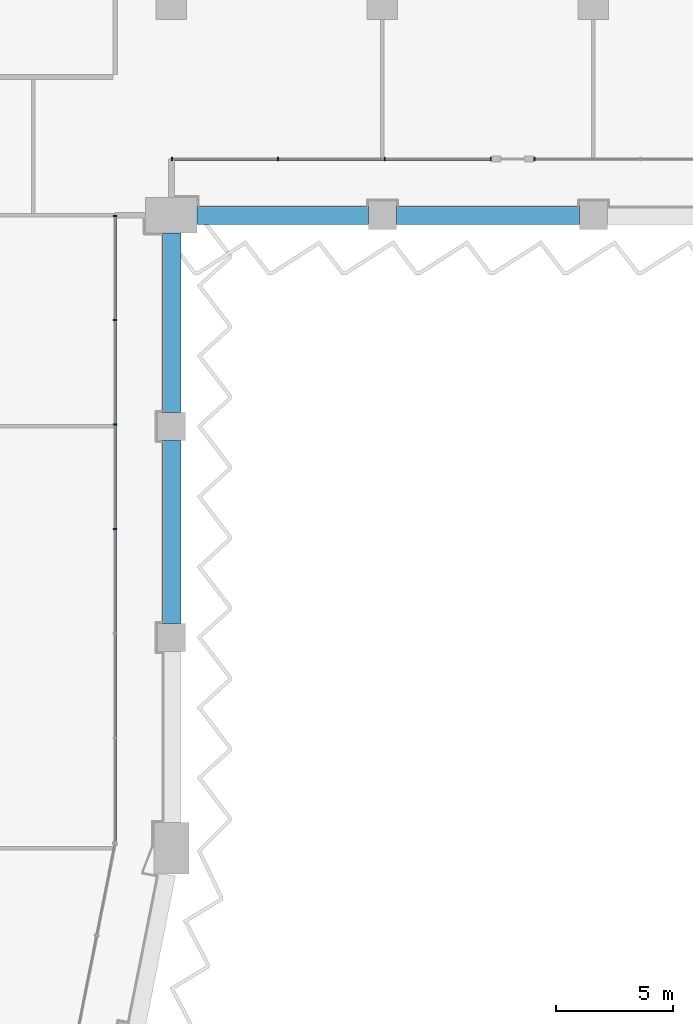
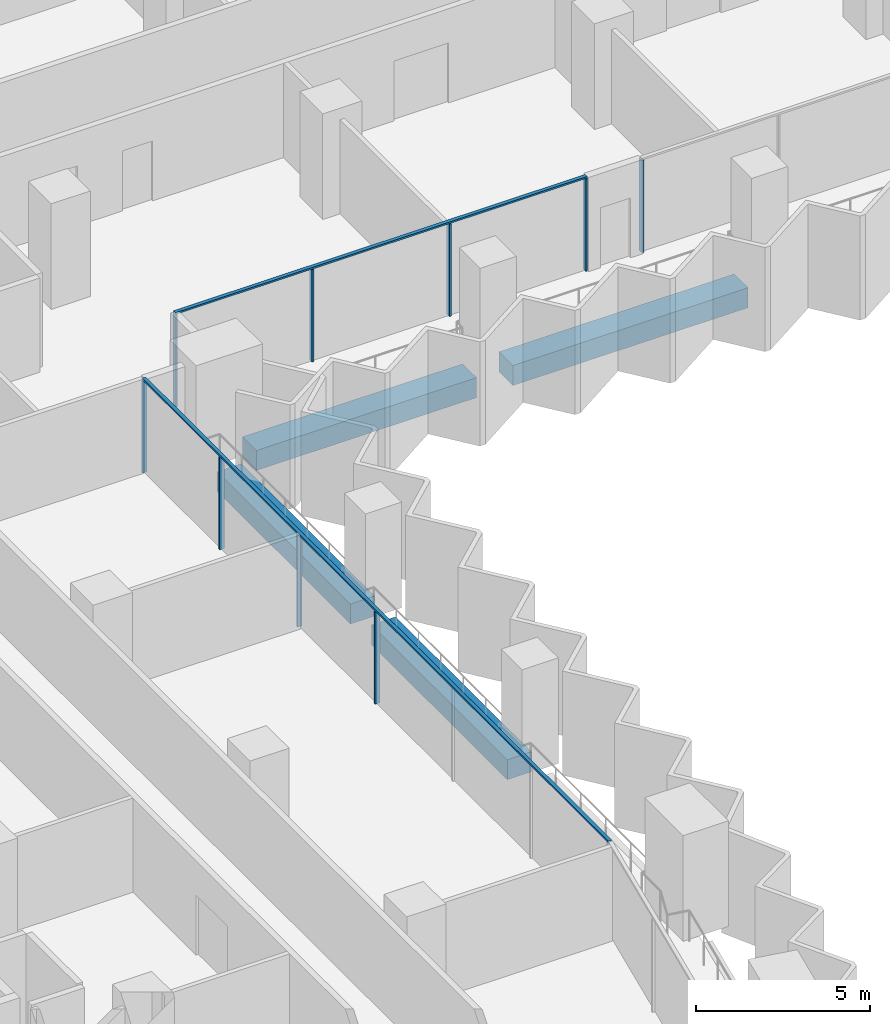
# One storey, part 4 of 23: 11 members, 4 beams, 3 elements without a shape of their own.
"""IFC4 building model written with IfcOpenShell, lengths in metres."""

from ifc_helpers import new_model, si_unit, direction, frame, origin, origin_2d, place, context, subcontext, project, spatial, rectangle, extrude, material, material_profile, profile_set, type_object, element, aggregate, save


model = new_model("IFC4")

# Units and contexts
model_context = context("Model", 3, precision=1e-05, world=origin(), true_north=direction((0.0, 1.0)))
body_context = subcontext(model_context, "Body", "Model", "MODEL_VIEW")
ifc_project = project(units=[si_unit("LENGTHUNIT", "METRE"), si_unit("AREAUNIT", "SQUARE_METRE"), si_unit("VOLUMEUNIT", "CUBIC_METRE"), si_unit("PLANEANGLEUNIT", "RADIAN"), si_unit("MASSUNIT", "GRAM", prefix="KILO")], contexts=[model_context])

# Site, building, storey
site_placement = place(None, origin())
site = spatial("IfcSite", under=ifc_project, at=site_placement, CompositionType="ELEMENT")
building_placement = place(site_placement, origin())
building = spatial("IfcBuilding", under=site, at=building_placement, Name="Hunhe Ridgeline Campus", CompositionType="ELEMENT")
storey_placement = place(building_placement, frame((0.0, 0.0, 95.89990234375)))
storey = spatial("IfcBuildingStorey", under=building, at=storey_placement, Name="L23", CompositionType="ELEMENT", Elevation=95.89990234375)

# Curtain wall, members
ifc_material_1 = material(Name="Aluminium 6063", Category="aluminium")
curtain_wall_type = type_object("IfcCurtainWallType", Name="Curtain wall CW-1", PredefinedType="NOTDEFINED", material=ifc_material_1)
curtain_wall_1_placement = place(storey_placement, origin())
curtain_wall_1 = element("IfcCurtainWall", 1, at=curtain_wall_1_placement, inside=storey, type_object=curtain_wall_type, Name="Curtain wall 11", PredefinedType="NOTDEFINED")
ifc_material_profile_1 = material_profile(ifc_material_1, rectangle(XDim=0.159912109375, YDim=0.06005859375, at=origin_2d()))
ifc_profile_set_1 = profile_set([ifc_material_profile_1], Name="Aluminium 6063")
member_type_1 = type_object("IfcMemberType", Name="CW-1 aluminium mullion", PredefinedType="MULLION", material=ifc_profile_set_1)
member_1_placement = place(storey_placement, frame((42.59912109375, 40.61865234375, 0.0), z_axis=(0.0, 0.0, 1.0), x_axis=(-0.99999999994, 1.0947456e-05, 0.0)))
member_1 = element("IfcMember", 2, at=member_1_placement, type_object=member_type_1, Name="CW-1 mullion 4", PredefinedType="MULLION", context=body_context, shape_type="SweptSolid", body=[
    extrude(rectangle(XDim=0.159912109375, YDim=0.06005859375, at=origin_2d()), origin(), (0.0, 0.0, 1.0), 3.239990234375),
])
member_2_placement = place(storey_placement, frame((42.59912109375, 45.079345703125, 0.0), z_axis=(0.0, 0.0, 1.0), x_axis=(-0.99999999994, 1.0947456e-05, 0.0)))
member_2 = element("IfcMember", 3, at=member_2_placement, type_object=member_type_1, Name="CW-1 mullion 5", PredefinedType="MULLION", context=body_context, shape_type="SweptSolid", body=[
    extrude(rectangle(XDim=0.159912109375, YDim=0.06005859375, at=origin_2d()), origin(), (0.0, 0.0, 1.0), 3.239990234375),
])
member_3_placement = place(storey_placement, frame((42.599365234375, 49.5400390625, 0.0), z_axis=(0.0, 0.0, 1.0), x_axis=(-0.99999999994, 1.0947456e-05, 0.0)))
member_3 = element("IfcMember", 4, at=member_3_placement, type_object=member_type_1, Name="CW-1 mullion 6", PredefinedType="MULLION", context=body_context, shape_type="SweptSolid", body=[
    extrude(rectangle(XDim=0.159912109375, YDim=0.06005859375, at=origin_2d()), origin(), (0.0, 0.0, 1.0), 3.239990234375),
])
member_4_placement = place(storey_placement, frame((42.599365234375, 53.970703125, 0.0), z_axis=(0.0, 0.0, 1.0), x_axis=(-0.99999999994, 1.0947456e-05, 0.0)))
member_4 = element("IfcMember", 5, at=member_4_placement, type_object=member_type_1, Name="CW-1 mullion 7", PredefinedType="MULLION", context=body_context, shape_type="SweptSolid", body=[
    extrude(rectangle(XDim=0.159912109375, YDim=0.06005859375, at=origin_2d()), origin(), (0.0, 0.0, 1.0), 3.239990234375),
])

curtain_wall_2_placement = place(storey_placement, origin())
curtain_wall_2 = element("IfcCurtainWall", 6, at=curtain_wall_2_placement, inside=storey, type_object=curtain_wall_type, Name="Curtain wall 12", PredefinedType="NOTDEFINED")
member_5_placement = place(storey_placement, frame((45.02978515625, 56.40087890625, 0.0), z_axis=(0.0, 0.0, 1.0), x_axis=(-1.4652e-07, 1.0, 0.0)))
member_5 = element("IfcMember", 7, at=member_5_placement, type_object=member_type_1, Name="CW-1 mullion 1", PredefinedType="MULLION", context=body_context, shape_type="SweptSolid", body=[
    extrude(rectangle(XDim=0.159912109375, YDim=0.06005859375, at=origin_2d()), origin(), (0.0, 0.0, 1.0), 3.239990234375),
])
member_6_placement = place(storey_placement, frame((49.5498046875, 56.40087890625, 0.0), z_axis=(0.0, 0.0, 1.0), x_axis=(-1.4652e-07, 1.0, 0.0)))
member_6 = element("IfcMember", 8, at=member_6_placement, type_object=member_type_1, Name="CW-1 mullion 2", PredefinedType="MULLION", context=body_context, shape_type="SweptSolid", body=[
    extrude(rectangle(XDim=0.159912109375, YDim=0.06005859375, at=origin_2d()), origin(), (0.0, 0.0, 1.0), 3.239990234375),
])
member_7_placement = place(storey_placement, frame((54.099609375, 56.40087890625, 0.0), z_axis=(0.0, 0.0, 1.0), x_axis=(-1.4652e-07, 1.0, 0.0)))
member_7 = element("IfcMember", 9, at=member_7_placement, type_object=member_type_1, Name="CW-1 mullion 3", PredefinedType="MULLION", context=body_context, shape_type="SweptSolid", body=[
    extrude(rectangle(XDim=0.159912109375, YDim=0.06005859375, at=origin_2d()), origin(), (0.0, 0.0, 1.0), 3.239990234375),
])
member_8_placement = place(storey_placement, frame((58.619384765625, 56.40087890625, 0.0), z_axis=(0.0, 0.0, 1.0), x_axis=(-1.4652e-07, 1.0, 0.0)))
member_8 = element("IfcMember", 10, at=member_8_placement, type_object=member_type_1, Name="CW-1 mullion 4", PredefinedType="MULLION", context=body_context, shape_type="SweptSolid", body=[
    extrude(rectangle(XDim=0.159912109375, YDim=0.06005859375, at=origin_2d()), origin(), (0.0, 0.0, 1.0), 3.239990234375),
])

# Curtain wall, member
curtain_wall_3_placement = place(storey_placement, origin())
curtain_wall_3 = element("IfcCurtainWall", 11, at=curtain_wall_3_placement, inside=storey, type_object=curtain_wall_type, Name="Curtain wall 13", PredefinedType="NOTDEFINED")
member_9_placement = place(storey_placement, frame((60.4794921875, 56.40087890625, 0.0), z_axis=(0.0, 0.0, 1.0), x_axis=(-1.4652e-07, 1.0, 0.0)))
member_9 = element("IfcMember", 12, at=member_9_placement, type_object=member_type_1, Name="CW-1 mullion 1", PredefinedType="MULLION", context=body_context, shape_type="SweptSolid", body=[
    extrude(rectangle(XDim=0.159912109375, YDim=0.06005859375, at=origin_2d()), origin(), (0.0, 0.0, 1.0), 3.239990234375),
])
aggregate(curtain_wall_3, [member_9])

# Member
ifc_material_profile_2 = material_profile(ifc_material_1, rectangle(XDim=0.1201171875, YDim=0.06005859375, at=origin_2d()))
ifc_profile_set_2 = profile_set([ifc_material_profile_2], Name="Aluminium 6063")
member_type_2 = type_object("IfcMemberType", Name="CW-1 aluminium transom", PredefinedType="USERDEFINED", material=ifc_profile_set_2)
member_10_placement = place(storey_placement, frame((42.59912109375, 27.236572265625, 3.27001953125), z_axis=(9.121924e-06, 0.999999999958, 0.0), x_axis=(-0.999999999958, 9.121924e-06, 0.0)))
member_10 = element("IfcMember", 13, at=member_10_placement, type_object=member_type_2, Name="CW-1 transom 1", ObjectType="TRANSOM", PredefinedType="USERDEFINED", context=body_context, shape_type="SweptSolid", body=[
    extrude(rectangle(XDim=0.1201171875, YDim=0.06005859375, at=origin_2d()), origin(), (0.0, 0.0, 1.0), 26.76416015625),
])

aggregate(curtain_wall_1, [member_10, member_1, member_2, member_3, member_4])

member_11_placement = place(storey_placement, frame((45.0, 56.40087890625, 3.27001953125), z_axis=(1.0, 0.0, 0.0), x_axis=(0.0, 1.0, 0.0)))
member_11 = element("IfcMember", 14, at=member_11_placement, type_object=member_type_2, Name="CW-1 transom 1", ObjectType="TRANSOM", PredefinedType="USERDEFINED", context=body_context, shape_type="SweptSolid", body=[
    extrude(rectangle(XDim=0.1201171875, YDim=0.06005859375, at=origin_2d()), origin(), (0.0, 0.0, 1.0), 13.6494140625),
])

aggregate(curtain_wall_2, [member_11, member_5, member_6, member_7, member_8])

# Beams
ifc_material_2 = material(Name="Concrete C60", Category="concrete")
ifc_material_profile_3 = material_profile(ifc_material_2, rectangle(XDim=0.800048828125, YDim=0.699951171875, at=origin_2d()))
ifc_profile_set_3 = profile_set([ifc_material_profile_3], Name="Concrete C60")
beam_type = type_object("IfcBeamType", Name="RC spandrel beam 800x700 Concrete C60", PredefinedType="SPANDREL", material=ifc_profile_set_3)
beam_1_placement = place(storey_placement, frame((45.0, 36.60009765625, -0.599853515625), z_axis=(0.0, 1.0, 0.0), x_axis=(-1.0, 0.0, 0.0)))
element("IfcBeam", 15, at=beam_1_placement, inside=storey, type_object=beam_type, Name="Spandrel beam B1-10 L23", PredefinedType="SPANDREL", context=body_context, shape_type="SweptSolid", body=[
    extrude(rectangle(XDim=0.800048828125, YDim=0.699951171875, at=origin_2d()), origin(), (0.0, 0.0, 1.0), 7.7998046875),
])
beam_2_placement = place(storey_placement, frame((45.0, 45.60009765625, -0.599853515625), z_axis=(0.0, 1.0, 0.0), x_axis=(-1.0, 0.0, 0.0)))
element("IfcBeam", 16, at=beam_2_placement, inside=storey, type_object=beam_type, Name="Spandrel beam B1-11 L23", PredefinedType="SPANDREL", context=body_context, shape_type="SweptSolid", body=[
    extrude(rectangle(XDim=0.800048828125, YDim=0.699951171875, at=origin_2d()), origin(), (0.0, 0.0, 1.0), 7.64990234375),
])
beam_3_placement = place(storey_placement, frame((46.10009765625, 54.0, -0.599853515625), z_axis=(1.0, 0.0, 0.0), x_axis=(0.0, 1.0, 0.0)))
element("IfcBeam", 17, at=beam_3_placement, inside=storey, type_object=beam_type, Name="Spandrel beam B1-12 L23", PredefinedType="SPANDREL", context=body_context, shape_type="SweptSolid", body=[
    extrude(rectangle(XDim=0.800048828125, YDim=0.699951171875, at=origin_2d()), origin(), (0.0, 0.0, 1.0), 7.2998046875),
])
beam_4_placement = place(storey_placement, frame((54.60009765625, 54.0, -0.599853515625), z_axis=(1.0, 0.0, 0.0), x_axis=(0.0, 1.0, 0.0)))
element("IfcBeam", 18, at=beam_4_placement, inside=storey, type_object=beam_type, Name="Spandrel beam B1-13 L23", PredefinedType="SPANDREL", context=body_context, shape_type="SweptSolid", body=[
    extrude(rectangle(XDim=0.800048828125, YDim=0.699951171875, at=origin_2d()), origin(), (0.0, 0.0, 1.0), 7.7998046875),
])

save(model, "model.ifc")
